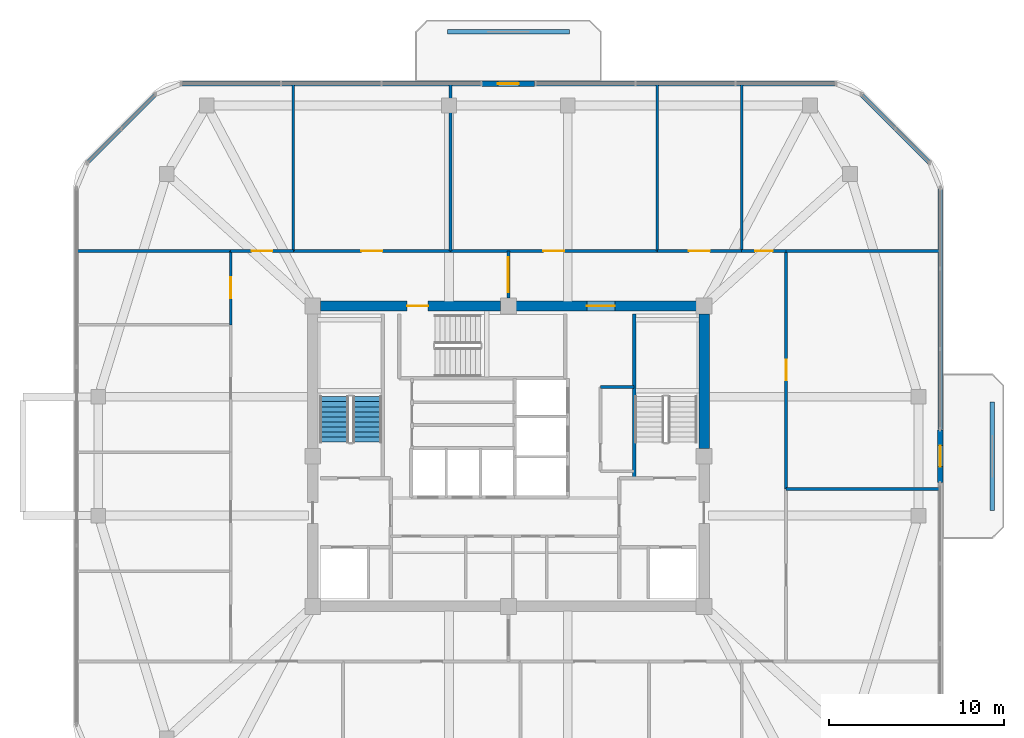
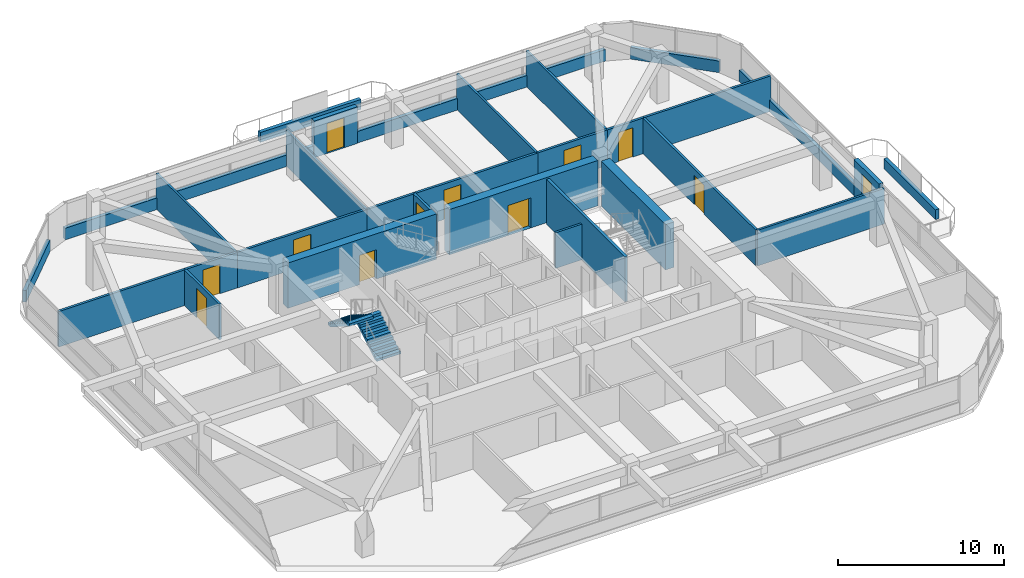
# One storey, part 11 of 14: 29 walls, 12 doors, 2 stair flights, 12 openings, 1 element without a shape of its own.
"""IFC4 building model written with IfcOpenShell, lengths in metres."""

from ifc_helpers import new_model, si_unit, derived_unit, direction, frame, frame_2d, origin, place, context, subcontext, project, spatial, polyline, rectangle, outline, extrude, material, layer, layer_set, type_object, element, fill, aggregate, save


model = new_model("IFC4")

# Units and contexts
model_context = context("Model", 3, precision=1e-05, world=origin(), true_north=direction((0.0, 1.0)))
body_context = subcontext(model_context, "Body", "Model", "MODEL_VIEW")
ifc_project = project(units=[si_unit("LENGTHUNIT", "METRE"), si_unit("AREAUNIT", "SQUARE_METRE"), si_unit("VOLUMEUNIT", "CUBIC_METRE"), si_unit("PLANEANGLEUNIT", "RADIAN"), si_unit("MASSUNIT", "GRAM", prefix="KILO"), derived_unit("THERMALTRANSMITTANCEUNIT", [(si_unit("POWERUNIT", "WATT"), 1), (si_unit("LENGTHUNIT", "METRE"), -2), (si_unit("THERMODYNAMICTEMPERATUREUNIT", "KELVIN"), -1)])], contexts=[model_context])

# Site, building, storey
site_placement = place(None, origin())
site = spatial("IfcSite", under=ifc_project, at=site_placement, CompositionType="ELEMENT")
building_placement = place(site_placement, origin())
building = spatial("IfcBuilding", under=site, at=building_placement, Name="Koralith Skygarden Medical Center", CompositionType="ELEMENT")
storey_placement = place(building_placement, frame((0.0, 0.0, 246.419921875)))
storey = spatial("IfcBuildingStorey", under=building, at=storey_placement, Name="L63", CompositionType="ELEMENT", Elevation=246.419921875)

# Walls
ifc_material_1 = material(Name="Gypsum Board Partition")
ifc_layer_1 = layer(ifc_material_1, 0.14990234375)
ifc_layer_set_1 = layer_set([ifc_layer_1], Name="Gypsum Board Partition")
wall_type_1 = type_object("IfcWallType", Name="Clinical Acoustic Partition 150", PredefinedType="PARTITIONING", material=ifc_layer_set_1)
wall_1_placement = place(storey_placement, frame((42.27001953125, 29.860107421875, 0.0), z_axis=(0.0, 0.0, 1.0), x_axis=(1.0, 0.0, 0.0)))
element("IfcWall", 1, at=wall_1_placement, inside=storey, type_object=wall_type_1, Name="L63 Clinical Acoustic Partition 150 W-CORE-L63-ESUB-N", PredefinedType="PARTITIONING", context=body_context, shape_type="SweptSolid", body=[
    extrude(rectangle(XDim=1.929931640625, YDim=0.14990234375, at=frame_2d((0.96484375, 0.0))), origin(), (0.0, 0.0, 1.0), 2.610107421875),
])
for number, where, z_axis, x_axis, name in (
    (2, (24.68603515625, 37.64990234375, 0.0), (0.0, 0.0, 1.0), (0.0, 1.0, 0.0), "L63 Clinical Acoustic Partition 150 W-PART-L63-N-01"),
    (3, (33.68505859375, 37.64990234375, 0.0), (0.0, 0.0, 1.0), (0.0, 1.0, 0.0), "L63 Clinical Acoustic Partition 150 W-PART-L63-N-02"),
    (4, (45.52490234375, 37.64990234375, 0.0), (0.0, 0.0, 1.0), (0.0, 1.0, 0.0), "L63 Clinical Acoustic Partition 150 W-PART-L63-N-03"),
    (5, (50.35009765625, 37.64990234375, 0.0), (0.0, 0.0, 1.0), (0.0, 1.0, 0.0), "L63 Clinical Acoustic Partition 150 W-PART-L63-N-04"),
):
    element("IfcWall", number, at=place(storey_placement, frame(where, z_axis=z_axis, x_axis=x_axis)), inside=storey, type_object=wall_type_1, Name=name, PredefinedType="PARTITIONING", context=body_context, shape_type="SweptSolid", body=[
        extrude(rectangle(XDim=9.550048828125, YDim=0.14990234375, at=frame_2d((4.77490234375, 0.0))), origin(), (0.0, 0.0, 1.0), 2.610107421875),
    ])
wall_2_placement = place(storey_placement, frame((52.89990234375, 24.02001953125, 0.0), z_axis=(0.0, 0.0, 1.0), x_axis=(1.0, 0.0, 0.0)))
element("IfcWall", 6, at=wall_2_placement, inside=storey, type_object=wall_type_1, Name="L63 Clinical Acoustic Partition 150 W-PART-L63-E-01", PredefinedType="PARTITIONING", context=body_context, shape_type="SweptSolid", body=[
    extrude(rectangle(XDim=8.800048828125, YDim=0.14990234375, at=frame_2d((4.39990234375, 0.0))), origin(), (0.0, 0.0, 1.0), 2.610107421875),
])
ifc_layer_2 = layer(ifc_material_1, 0.1650390625)
ifc_layer_set_2 = layer_set([ifc_layer_2], Name="Gypsum Board Partition")
wall_type_2 = type_object("IfcWallType", Name="Clinical Corridor Partition 165", PredefinedType="PARTITIONING", material=ifc_layer_set_2)
for number, where, z_axis, x_axis, name in (
    (7, (12.300048828125, 37.64990234375, 0.0), (0.0, 0.0, 1.0), (1.0, 0.0, 0.0), "L63 Clinical Corridor Partition 165 W-WB-L63-NW"),
    (8, (52.89990234375, 37.64990234375, 0.0), (0.0, 0.0, 1.0), (1.0, 0.0, 0.0), "L63 Clinical Corridor Partition 165 W-WB-L63-NE"),
):
    element("IfcWall", number, at=place(storey_placement, frame(where, z_axis=z_axis, x_axis=x_axis)), inside=storey, type_object=wall_type_2, Name=name, PredefinedType="PARTITIONING", context=body_context, shape_type="SweptSolid", body=[
        extrude(rectangle(XDim=8.800048828125, YDim=0.1650390625, at=frame_2d((4.39990234375, 0.0))), origin(), (0.0, 0.0, 1.0), 2.610107421875),
    ])

# Wall, opening, door
wall_3_placement = place(storey_placement, frame((21.10009765625, 37.64990234375, 0.0), z_axis=(0.0, 0.0, 1.0), x_axis=(1.0, 0.0, 0.0)))
wall_3 = element("IfcWall", 9, at=wall_3_placement, inside=storey, type_object=wall_type_2, Name="L63 Clinical Corridor Partition 165 W-CORR-L63-N-01", PredefinedType="PARTITIONING", context=body_context, shape_type="SweptSolid", body=[
    extrude(rectangle(XDim=3.5859375, YDim=0.1650390625, at=frame_2d((1.79296875, 0.0))), origin(), (0.0, 0.0, 1.0), 2.610107421875),
])
opening_1_placement = place(wall_3_placement, frame((1.193115234375, 0.0, 0.0)))
opening_1 = element("IfcOpeningElement", 10, at=opening_1_placement, cuts=wall_3, Name="Opening D-CLN", PredefinedType="OPENING", context=body_context, shape_type="SweptSolid", body=[
    extrude(rectangle(XDim=1.199951171875, YDim=2.14990234375, at=frame_2d((0.60009765625, 1.074951171875))), frame((0.0, 0.092529296875, 0.0), z_axis=(0.0, -1.0, 0.0), x_axis=(1.0, 0.0, 0.0)), (0.0, 0.0, 1.0), 0.18505859375),
])
ifc_material_2 = material(Name="Aluminium 6063-T6", Category="aluminium")
door_type_1 = type_object("IfcDoorType", Name="Clinical Corridor Door D-CLN 1200", OperationType="NOTDEFINED", PredefinedType="DOOR", material=ifc_material_2)
door_1_placement = place(opening_1_placement, origin())
door_1 = element("IfcDoor", 11, at=door_1_placement, inside=storey, type_object=door_type_1, Name="L63 Staff Refreshment and Nutrition Pantry 01 Door", OperationType="SINGLE_SWING_RIGHT", OverallHeight=2.14990234375, OverallWidth=1.199951171875, PredefinedType="DOOR", context=body_context, shape_type="SweptSolid", body=[
    extrude(rectangle(XDim=1.199951171875, YDim=2.14990234375, at=frame_2d((0.60009765625, 1.074951171875))), frame((0.0, 0.02490234375, 0.0), z_axis=(0.0, -1.0, 0.0), x_axis=(1.0, 0.0, 0.0)), (0.0, 0.0, 1.0), 0.050048828125),
])
fill(opening_1, door_1)

wall_4_placement = place(storey_placement, frame((24.68603515625, 37.64990234375, 0.0), z_axis=(0.0, 0.0, 1.0), x_axis=(1.0, 0.0, 0.0)))
wall_4 = element("IfcWall", 12, at=wall_4_placement, inside=storey, type_object=wall_type_2, Name="L63 Clinical Corridor Partition 165 W-CORR-L63-N-02", PredefinedType="PARTITIONING", context=body_context, shape_type="SweptSolid", body=[
    extrude(rectangle(XDim=8.9990234375, YDim=0.1650390625, at=frame_2d((4.49951171875, 0.0))), origin(), (0.0, 0.0, 1.0), 2.610107421875),
])
opening_2_placement = place(wall_4_placement, frame((3.89990234375, 0.0, 0.0)))
opening_2 = element("IfcOpeningElement", 13, at=opening_2_placement, cuts=wall_4, Name="Opening D-CLN", PredefinedType="OPENING", context=body_context, shape_type="SweptSolid", body=[
    extrude(rectangle(XDim=1.199951171875, YDim=2.14990234375, at=frame_2d((0.60009765625, 1.074951171875))), frame((0.0, 0.092529296875, 0.0), z_axis=(0.0, -1.0, 0.0), x_axis=(1.0, 0.0, 0.0)), (0.0, 0.0, 1.0), 0.18505859375),
])
door_2_placement = place(opening_2_placement, origin())
door_2 = element("IfcDoor", 14, at=door_2_placement, inside=storey, type_object=door_type_1, Name="L63 Clinical Pharmacist Office 02 Door", OperationType="SINGLE_SWING_LEFT", OverallHeight=2.14990234375, OverallWidth=1.199951171875, PredefinedType="DOOR", context=body_context, shape_type="SweptSolid", body=[
    extrude(rectangle(XDim=1.199951171875, YDim=2.14990234375, at=frame_2d((0.60009765625, 1.074951171875))), frame((0.0, 0.02490234375, 0.0), z_axis=(0.0, -1.0, 0.0), x_axis=(1.0, 0.0, 0.0)), (0.0, 0.0, 1.0), 0.050048828125),
])
fill(opening_2, door_2)

wall_5_placement = place(storey_placement, frame((33.68505859375, 37.64990234375, 0.0), z_axis=(0.0, 0.0, 1.0), x_axis=(1.0, 0.0, 0.0)))
wall_5 = element("IfcWall", 15, at=wall_5_placement, inside=storey, type_object=wall_type_2, Name="L63 Clinical Corridor Partition 165 W-CORR-L63-N-03", PredefinedType="PARTITIONING", context=body_context, shape_type="SweptSolid", body=[
    extrude(rectangle(XDim=11.83984375, YDim=0.1650390625, at=frame_2d((5.919921875, 0.0))), origin(), (0.0, 0.0, 1.0), 2.610107421875),
])
opening_3_placement = place(wall_5_placement, frame((5.320068359375, 0.0, 0.0)))
opening_3 = element("IfcOpeningElement", 16, at=opening_3_placement, cuts=wall_5, Name="Opening D-CLN", PredefinedType="OPENING", context=body_context, shape_type="SweptSolid", body=[
    extrude(rectangle(XDim=1.199951171875, YDim=2.14990234375, at=frame_2d((0.60009765625, 1.074951171875))), frame((0.0, 0.092529296875, 0.0), z_axis=(0.0, -1.0, 0.0), x_axis=(1.0, 0.0, 0.0)), (0.0, 0.0, 1.0), 0.18505859375),
])
door_3_placement = place(opening_3_placement, origin())
door_3 = element("IfcDoor", 17, at=door_3_placement, inside=storey, type_object=door_type_1, Name="L63 Patient and Family Sky-Garden Day Lounge 03 Door", OperationType="SINGLE_SWING_RIGHT", OverallHeight=2.14990234375, OverallWidth=1.199951171875, PredefinedType="DOOR", context=body_context, shape_type="SweptSolid", body=[
    extrude(rectangle(XDim=1.199951171875, YDim=2.14990234375, at=frame_2d((0.60009765625, 1.074951171875))), frame((0.0, 0.02490234375, 0.0), z_axis=(0.0, -1.0, 0.0), x_axis=(1.0, 0.0, 0.0)), (0.0, 0.0, 1.0), 0.050048828125),
])
fill(opening_3, door_3)

wall_6_placement = place(storey_placement, frame((45.52490234375, 37.64990234375, 0.0), z_axis=(0.0, 0.0, 1.0), x_axis=(1.0, 0.0, 0.0)))
wall_6 = element("IfcWall", 18, at=wall_6_placement, inside=storey, type_object=wall_type_2, Name="L63 Clinical Corridor Partition 165 W-CORR-L63-N-04", PredefinedType="PARTITIONING", context=body_context, shape_type="SweptSolid", body=[
    extrude(rectangle(XDim=4.8251953125, YDim=0.1650390625, at=frame_2d((2.41259765625, 0.0))), origin(), (0.0, 0.0, 1.0), 2.610107421875),
])
opening_4_placement = place(wall_6_placement, frame((1.81298828125, 0.0, 0.0)))
opening_4 = element("IfcOpeningElement", 19, at=opening_4_placement, cuts=wall_6, Name="Opening D-CLN", PredefinedType="OPENING", context=body_context, shape_type="SweptSolid", body=[
    extrude(rectangle(XDim=1.199951171875, YDim=2.14990234375, at=frame_2d((0.60009765625, 1.074951171875))), frame((0.0, 0.092529296875, 0.0), z_axis=(0.0, -1.0, 0.0), x_axis=(1.0, 0.0, 0.0)), (0.0, 0.0, 1.0), 0.18505859375),
])
door_4_placement = place(opening_4_placement, origin())
door_4 = element("IfcDoor", 20, at=door_4_placement, inside=storey, type_object=door_type_1, Name="L63 Social Work Counseling Office 04 Door", OperationType="SINGLE_SWING_LEFT", OverallHeight=2.14990234375, OverallWidth=1.199951171875, PredefinedType="DOOR", context=body_context, shape_type="SweptSolid", body=[
    extrude(rectangle(XDim=1.199951171875, YDim=2.14990234375, at=frame_2d((0.60009765625, 1.074951171875))), frame((0.0, 0.02490234375, 0.0), z_axis=(0.0, -1.0, 0.0), x_axis=(1.0, 0.0, 0.0)), (0.0, 0.0, 1.0), 0.050048828125),
])
fill(opening_4, door_4)

wall_7_placement = place(storey_placement, frame((50.35009765625, 37.64990234375, 0.0), z_axis=(0.0, 0.0, 1.0), x_axis=(1.0, 0.0, 0.0)))
wall_7 = element("IfcWall", 21, at=wall_7_placement, inside=storey, type_object=wall_type_2, Name="L63 Clinical Corridor Partition 165 W-CORR-L63-N-05", PredefinedType="PARTITIONING", context=body_context, shape_type="SweptSolid", body=[
    extrude(rectangle(XDim=2.5498046875, YDim=0.1650390625, at=frame_2d((1.27490234375, 0.0))), origin(), (0.0, 0.0, 1.0), 2.610107421875),
])
opening_5_placement = place(wall_7_placement, frame((0.77490234375, 0.0, 0.0)))
opening_5 = element("IfcOpeningElement", 22, at=opening_5_placement, cuts=wall_7, Name="Opening D-SUP", PredefinedType="OPENING", context=body_context, shape_type="SweptSolid", body=[
    extrude(rectangle(XDim=1.0, YDim=2.14990234375, at=frame_2d((0.5, 1.074951171875))), frame((0.0, 0.092529296875, 0.0), z_axis=(0.0, -1.0, 0.0), x_axis=(1.0, 0.0, 0.0)), (0.0, 0.0, 1.0), 0.18505859375),
])
door_type_2 = type_object("IfcDoorType", Name="Clinical Support Door D-SUP 1000", OperationType="NOTDEFINED", PredefinedType="DOOR", material=ifc_material_2)
door_5_placement = place(opening_5_placement, origin())
door_5 = element("IfcDoor", 23, at=door_5_placement, inside=storey, type_object=door_type_2, Name="L63 Clinical Consultation Office 05 Door", OperationType="SINGLE_SWING_RIGHT", OverallHeight=2.14990234375, OverallWidth=1.0, PredefinedType="DOOR", context=body_context, shape_type="SweptSolid", body=[
    extrude(rectangle(XDim=1.0, YDim=2.14990234375, at=frame_2d((0.5, 1.074951171875))), frame((0.0, 0.02490234375, 0.0), z_axis=(0.0, -1.0, 0.0), x_axis=(1.0, 0.0, 0.0)), (0.0, 0.0, 1.0), 0.050048828125),
])
fill(opening_5, door_5)

wall_8_placement = place(storey_placement, frame((21.10009765625, 33.419921875, 0.0), z_axis=(0.0, 0.0, 1.0), x_axis=(0.0, 1.0, 0.0)))
wall_8 = element("IfcWall", 24, at=wall_8_placement, inside=storey, type_object=wall_type_2, Name="L63 Clinical Corridor Partition 165 W-CORR-L63-W-04", PredefinedType="PARTITIONING", context=body_context, shape_type="SweptSolid", body=[
    extrude(rectangle(XDim=4.22998046875, YDim=0.1650390625, at=frame_2d((2.114990234375, 0.0))), origin(), (0.0, 0.0, 1.0), 2.610107421875),
])
opening_6_placement = place(wall_8_placement, frame((1.514892578125, 0.0, 0.0)))
opening_6 = element("IfcOpeningElement", 25, at=opening_6_placement, cuts=wall_8, Name="Opening D-CLN", PredefinedType="OPENING", context=body_context, shape_type="SweptSolid", body=[
    extrude(rectangle(XDim=1.199951171875, YDim=2.14990234375, at=frame_2d((0.60009765625, 1.074951171875))), frame((0.0, 0.092529296875, 0.0), z_axis=(0.0, -1.0, 0.0), x_axis=(1.0, 0.0, 0.0)), (0.0, 0.0, 1.0), 0.18505859375),
])
door_6_placement = place(opening_6_placement, frame((1.199951171875, 0.0, 0.0), z_axis=(0.0, 0.0, 1.0), x_axis=(-1.0, 0.0, 0.0)))
door_6 = element("IfcDoor", 26, at=door_6_placement, inside=storey, type_object=door_type_1, Name="L63 Staff Refreshment and Nutrition Pantry 14 Door", OperationType="SINGLE_SWING_LEFT", OverallHeight=2.14990234375, OverallWidth=1.199951171875, PredefinedType="DOOR", context=body_context, shape_type="SweptSolid", body=[
    extrude(rectangle(XDim=1.199951171875, YDim=2.14990234375, at=frame_2d((0.60009765625, 1.074951171875))), frame((0.0, 0.02490234375, 0.0), z_axis=(0.0, -1.0, 0.0), x_axis=(1.0, 0.0, 0.0)), (0.0, 0.0, 1.0), 0.050048828125),
])
fill(opening_6, door_6)

wall_9_placement = place(storey_placement, frame((52.89990234375, 24.02001953125, 0.0), z_axis=(0.0, 0.0, 1.0), x_axis=(0.0, 1.0, 0.0)))
wall_9 = element("IfcWall", 27, at=wall_9_placement, inside=storey, type_object=wall_type_2, Name="L63 Clinical Corridor Partition 165 W-CORR-L63-E-02", PredefinedType="PARTITIONING", context=body_context, shape_type="SweptSolid", body=[
    extrude(rectangle(XDim=13.6298828125, YDim=0.1650390625, at=frame_2d((6.81494140625, 0.0))), origin(), (0.0, 0.0, 1.0), 2.610107421875),
])
opening_7_placement = place(wall_9_placement, frame((6.215087890625, 0.0, 0.0)))
opening_7 = element("IfcOpeningElement", 28, at=opening_7_placement, cuts=wall_9, Name="Opening D-CLN", PredefinedType="OPENING", context=body_context, shape_type="SweptSolid", body=[
    extrude(rectangle(XDim=1.199951171875, YDim=2.14990234375, at=frame_2d((0.60009765625, 1.074951171875))), frame((0.0, 0.092529296875, 0.0), z_axis=(0.0, -1.0, 0.0), x_axis=(1.0, 0.0, 0.0)), (0.0, 0.0, 1.0), 0.18505859375),
])
door_7_placement = place(opening_7_placement, origin())
door_7 = element("IfcDoor", 29, at=door_7_placement, inside=storey, type_object=door_type_1, Name="L63 Patient and Family Sky-Garden Day Lounge 16 Door", OperationType="SINGLE_SWING_LEFT", OverallHeight=2.14990234375, OverallWidth=1.199951171875, PredefinedType="DOOR", context=body_context, shape_type="SweptSolid", body=[
    extrude(rectangle(XDim=1.199951171875, YDim=2.14990234375, at=frame_2d((0.60009765625, 1.074951171875))), frame((0.0, 0.02490234375, 0.0), z_axis=(0.0, -1.0, 0.0), x_axis=(1.0, 0.0, 0.0)), (0.0, 0.0, 1.0), 0.050048828125),
])
fill(opening_7, door_7)

ifc_layer_3 = layer(ifc_material_1, 0.179931640625)
ifc_layer_set_3 = layer_set([ifc_layer_3], Name="Gypsum Board Partition")
wall_type_3 = type_object("IfcWallType", Name="Group I-2 Smoke Barrier Wall 180", PredefinedType="PARTITIONING", material=ifc_layer_set_3)
wall_10_placement = place(storey_placement, frame((37.0, 34.949951171875, 0.0), z_axis=(0.0, 0.0, 1.0), x_axis=(0.0, 1.0, 0.0)))
wall_10 = element("IfcWall", 30, at=wall_10_placement, inside=storey, type_object=wall_type_3, Name="L63 Group I-2 Smoke Barrier Wall 180 W-SMK-L63-N", PredefinedType="PARTITIONING", context=body_context, shape_type="SweptSolid", body=[
    extrude(rectangle(XDim=2.699951171875, YDim=0.179931640625, at=frame_2d((1.35009765625, 0.0))), origin(), (0.0, 0.0, 1.0), 2.610107421875),
])
opening_8_placement = place(wall_10_placement, frame((0.35009765625, 0.0, 0.0)))
opening_8 = element("IfcOpeningElement", 31, at=opening_8_placement, cuts=wall_10, Name="Opening D-SMK", PredefinedType="OPENING", context=body_context, shape_type="SweptSolid", body=[
    extrude(rectangle(XDim=2.0, YDim=2.199951171875, at=frame_2d((1.0, 1.10009765625))), frame((0.0, 0.099853515625, 0.0), z_axis=(0.0, -1.0, 0.0), x_axis=(1.0, 0.0, 0.0)), (0.0, 0.0, 1.0), 0.199951171875),
])
ifc_material_3 = material(Name="Steel ASTM A500 Grade C", Category="steel")
door_type_3 = type_object("IfcDoorType", Name="Cross-Corridor Double Smoke Door FD60S 2000", OperationType="NOTDEFINED", PredefinedType="DOOR", material=ifc_material_3)
door_8_placement = place(opening_8_placement, origin())
door_8 = element("IfcDoor", 32, at=door_8_placement, inside=storey, type_object=door_type_3, Name="L63 N Smoke Compartment Cross-Corridor Door", OperationType="DOUBLE_DOOR_SINGLE_SWING", OverallHeight=2.199951171875, OverallWidth=2.0, PredefinedType="DOOR", context=body_context, shape_type="SweptSolid", body=[
    extrude(rectangle(XDim=2.0, YDim=2.199951171875, at=frame_2d((1.0, 1.10009765625))), frame((0.0, 0.02490234375, 0.0), z_axis=(0.0, -1.0, 0.0), x_axis=(1.0, 0.0, 0.0)), (0.0, 0.0, 1.0), 0.050048828125),
])
fill(opening_8, door_8)

# Walls
ifc_material_4 = material(Name="Warm Oolitic Limestone Cladding", Category="masonry")
ifc_layer_4 = layer(ifc_material_4, 0.239990234375)
ifc_layer_set_4 = layer_set([ifc_layer_4], Name="Warm Oolitic Limestone Cladding")
wall_type_4 = type_object("IfcWallType", Name="Limestone Spandrel Sill Backup Wall 240", PredefinedType="SOLIDWALL", material=ifc_layer_set_4)
wall_11_placement = place(storey_placement, frame((61.719970703125, 27.43994140625, 0.0), z_axis=(0.0, 0.0, 1.0), x_axis=(0.0, 1.0, 0.0)))
element("IfcWall", 33, at=wall_11_placement, inside=storey, type_object=wall_type_4, Name="L63 Sill Spandrel E-R", PredefinedType="SOLIDWALL", context=body_context, shape_type="SweptSolid", body=[
    extrude(rectangle(XDim=13.80517578125, YDim=0.239990234375, at=frame_2d((6.902587890625, 0.0))), origin(), (0.0, 0.0, 1.0), 0.85009765625),
])
wall_12_placement = place(storey_placement, frame((61.118896484375, 42.696044921875, 0.0), z_axis=(0.0, 0.0, 1.0), x_axis=(-0.707106781187, 0.707106781187, 0.0)))
element("IfcWall", 34, at=wall_12_placement, inside=storey, type_object=wall_type_4, Name="L63 Sill Spandrel NE", PredefinedType="SOLIDWALL", context=body_context, shape_type="SweptSolid", body=[
    extrude(rectangle(XDim=5.5478515625, YDim=0.239990234375, at=frame_2d((2.77392578125, 0.0))), origin(), (0.0, 0.0, 1.0), 0.85009765625),
])
wall_13_placement = place(storey_placement, frame((55.7451171875, 47.219970703125, 0.0), z_axis=(0.0, 0.0, 1.0), x_axis=(-1.0, 0.0, 0.0)))
element("IfcWall", 35, at=wall_13_placement, inside=storey, type_object=wall_type_4, Name="L63 Sill Spandrel N-L", PredefinedType="SOLIDWALL", context=body_context, shape_type="SweptSolid", body=[
    extrude(rectangle(XDim=17.2041015625, YDim=0.239990234375, at=frame_2d((8.60205078125, 0.0))), origin(), (0.0, 0.0, 1.0), 0.85009765625),
])
wall_14_placement = place(storey_placement, frame((35.4609375, 47.219970703125, 0.0), z_axis=(0.0, 0.0, 1.0), x_axis=(-1.0, 0.0, 0.0)))
element("IfcWall", 36, at=wall_14_placement, inside=storey, type_object=wall_type_4, Name="L63 Sill Spandrel N-R", PredefinedType="SOLIDWALL", context=body_context, shape_type="SweptSolid", body=[
    extrude(rectangle(XDim=17.2060546875, YDim=0.239990234375, at=frame_2d((8.60302734375, 0.0))), origin(), (0.0, 0.0, 1.0), 0.85009765625),
])
wall_15_placement = place(storey_placement, frame((16.803955078125, 46.618896484375, 0.0), z_axis=(0.0, 0.0, 1.0), x_axis=(-0.707106781187, -0.707106781187, 0.0)))
element("IfcWall", 37, at=wall_15_placement, inside=storey, type_object=wall_type_4, Name="L63 Sill Spandrel NW", PredefinedType="SOLIDWALL", context=body_context, shape_type="SweptSolid", body=[
    extrude(rectangle(XDim=5.5478515625, YDim=0.239990234375, at=frame_2d((2.77392578125, 0.0))), origin(), (0.0, 0.0, 1.0), 0.85009765625),
])

# Wall, opening, door
ifc_layer_5 = layer(ifc_material_4, 0.300048828125)
ifc_layer_set_5 = layer_set([ifc_layer_5], Name="Warm Oolitic Limestone Cladding")
wall_type_5 = type_object("IfcWallType", Name="Oolitic Limestone Insulated Facade Wall 300", PredefinedType="SOLIDWALL", material=ifc_layer_set_5)
wall_16_placement = place(storey_placement, frame((61.719970703125, 24.39990234375, 0.0), z_axis=(0.0, 0.0, 1.0), x_axis=(0.0, 1.0, 0.0)))
wall_16 = element("IfcWall", 38, at=wall_16_placement, inside=storey, type_object=wall_type_5, Name="L63 Terrace Portal Wall E", PredefinedType="SOLIDWALL", context=body_context, shape_type="SweptSolid", body=[
    extrude(rectangle(XDim=3.0, YDim=0.300048828125, at=frame_2d((1.5, 0.0))), origin(), (0.0, 0.0, 1.0), 2.690185546875),
])
opening_9_placement = place(wall_16_placement, frame((0.89990234375, 0.0, 0.0)))
opening_9 = element("IfcOpeningElement", 39, at=opening_9_placement, cuts=wall_16, Name="Opening D-BAL", PredefinedType="OPENING", context=body_context, shape_type="SweptSolid", body=[
    extrude(rectangle(XDim=1.199951171875, YDim=2.199951171875, at=frame_2d((0.60009765625, 1.10009765625))), frame((0.0, 0.159912109375, 0.0), z_axis=(0.0, -1.0, 0.0), x_axis=(1.0, 0.0, 0.0)), (0.0, 0.0, 1.0), 0.320068359375),
])
door_type_4 = type_object("IfcDoorType", Name="Planted Balcony Glazed Terrace Door D-BAL 1200", OperationType="NOTDEFINED", PredefinedType="DOOR", material=ifc_material_2)
door_9_placement = place(opening_9_placement, origin())
door_9 = element("IfcDoor", 40, at=door_9_placement, inside=storey, type_object=door_type_4, Name="L63 E Outdoor Terrace Access Door", OperationType="SINGLE_SWING_RIGHT", OverallHeight=2.199951171875, OverallWidth=1.199951171875, PredefinedType="DOOR", context=body_context, shape_type="SweptSolid", body=[
    extrude(rectangle(XDim=1.199951171875, YDim=2.199951171875, at=frame_2d((0.60009765625, 1.10009765625))), frame((0.0, 0.02490234375, 0.0), z_axis=(0.0, -1.0, 0.0), x_axis=(1.0, 0.0, 0.0)), (0.0, 0.0, 1.0), 0.050048828125),
])
fill(opening_9, door_9)

wall_17_placement = place(storey_placement, frame((38.5009765625, 47.219970703125, 0.0), z_axis=(0.0, 0.0, 1.0), x_axis=(-1.0, 0.0, 0.0)))
wall_17 = element("IfcWall", 41, at=wall_17_placement, inside=storey, type_object=wall_type_5, Name="L63 Terrace Portal Wall N", PredefinedType="SOLIDWALL", context=body_context, shape_type="SweptSolid", body=[
    extrude(rectangle(XDim=3.0, YDim=0.300048828125, at=frame_2d((1.5, 0.0))), origin(), (0.0, 0.0, 1.0), 2.690185546875),
])
opening_10_placement = place(wall_17_placement, frame((0.89990234375, 0.0, 0.0)))
opening_10 = element("IfcOpeningElement", 42, at=opening_10_placement, cuts=wall_17, Name="Opening D-BAL", PredefinedType="OPENING", context=body_context, shape_type="SweptSolid", body=[
    extrude(rectangle(XDim=1.199951171875, YDim=2.199951171875, at=frame_2d((0.60009765625, 1.10009765625))), frame((0.0, 0.159912109375, 0.0), z_axis=(0.0, -1.0, 0.0), x_axis=(1.0, 0.0, 0.0)), (0.0, 0.0, 1.0), 0.320068359375),
])
door_10_placement = place(opening_10_placement, origin())
door_10 = element("IfcDoor", 43, at=door_10_placement, inside=storey, type_object=door_type_4, Name="L63 N Outdoor Terrace Access Door", OperationType="SINGLE_SWING_RIGHT", OverallHeight=2.199951171875, OverallWidth=1.199951171875, PredefinedType="DOOR", context=body_context, shape_type="SweptSolid", body=[
    extrude(rectangle(XDim=1.199951171875, YDim=2.199951171875, at=frame_2d((0.60009765625, 1.10009765625))), frame((0.0, 0.02490234375, 0.0), z_axis=(0.0, -1.0, 0.0), x_axis=(1.0, 0.0, 0.0)), (0.0, 0.0, 1.0), 0.050048828125),
])
fill(opening_10, door_10)

# Walls
ifc_material_5 = material(Name="Precast concrete C40/50", Category="concrete")
ifc_layer_6 = layer(ifc_material_5, 0.25)
ifc_layer_set_6 = layer_set([ifc_layer_6], Name="Precast concrete C40/50")
wall_type_6 = type_object("IfcWallType", Name="Structural Concrete Balcony Planter Kerb 250", PredefinedType="PARAPET", material=ifc_layer_set_6)
wall_18_placement = place(storey_placement, frame((33.5, 50.199951171875, 0.0), z_axis=(0.0, 0.0, 1.0), x_axis=(1.0, 0.0, 0.0)))
element("IfcWall", 44, at=wall_18_placement, inside=storey, type_object=wall_type_6, Name="L63 N Structural Tree PLANTER Box", PredefinedType="PARAPET", context=body_context, shape_type="SweptSolid", body=[
    extrude(rectangle(XDim=7.0, YDim=0.25, at=frame_2d((3.5, 0.0))), origin(), (0.0, 0.0, 1.0), 0.719970703125),
])
wall_19_placement = place(storey_placement, frame((64.699951171875, 22.800048828125, 0.0), z_axis=(0.0, 0.0, 1.0), x_axis=(0.0, 1.0, 0.0)))
element("IfcWall", 45, at=wall_19_placement, inside=storey, type_object=wall_type_6, Name="L63 E Structural Tree PLANTER Box", PredefinedType="PARAPET", context=body_context, shape_type="SweptSolid", body=[
    extrude(rectangle(XDim=6.199951171875, YDim=0.25, at=frame_2d((3.10009765625, 0.0))), origin(), (0.0, 0.0, 1.0), 0.719970703125),
])
ifc_material_6 = material(Name="Concrete C45/55", Category="concrete")
ifc_layer_7 = layer(ifc_material_6, 0.199951171875)
ifc_layer_set_7 = layer_set([ifc_layer_7], Name="Concrete C45/55")
wall_type_7 = type_object("IfcWallType", Name="Structural Stair Shaft Wall 200", PredefinedType="SHEAR", material=ifc_layer_set_7)
wall_20_placement = place(storey_placement, frame((44.199951171875, 24.64990234375, 0.0), z_axis=(0.0, 0.0, 1.0), x_axis=(0.0, 1.0, 0.0)))
element("IfcWall", 46, at=wall_20_placement, inside=storey, type_object=wall_type_7, Name="L63 Structural Stair Shaft Wall 200 W-CORE-L63-ST2-W", PredefinedType="SHEAR", context=body_context, shape_type="SweptSolid", body=[
    extrude(rectangle(XDim=9.400146484375, YDim=0.199951171875, at=frame_2d((4.7001953125, 0.0))), origin(), (0.0, 0.0, 1.0), 3.320068359375),
])
ifc_material_7 = material(Name="Concrete C55/67", Category="concrete")
ifc_layer_8 = layer(ifc_material_7, 0.60009765625)
ifc_layer_set_8 = layer_set([ifc_layer_8], Name="Concrete C55/67")
wall_type_8 = type_object("IfcWallType", Name="Upper Core Shear Wall 600", PredefinedType="SHEAR", material=ifc_layer_set_8)
wall_21_placement = place(storey_placement, frame((48.199951171875, 26.344970703125, 0.0), z_axis=(0.0, 0.0, 1.0), x_axis=(0.0, 1.0, 0.0)))
element("IfcWall", 47, at=wall_21_placement, inside=storey, type_object=wall_type_8, Name="L63 Core Shear Wall Segment 4", PredefinedType="SHEAR", context=body_context, shape_type="SweptSolid", body=[
    extrude(rectangle(XDim=7.7099609375, YDim=0.60009765625, at=frame_2d((3.85498046875, 0.0))), origin(), (0.0, 0.0, 1.0), 3.320068359375),
])

# Wall, opening, door
wall_22_placement = place(storey_placement, frame((47.7548828125, 34.5, 0.0), z_axis=(0.0, 0.0, 1.0), x_axis=(-1.0, 0.0, 0.0)))
wall_22 = element("IfcWall", 48, at=wall_22_placement, inside=storey, type_object=wall_type_8, Name="L63 Core Shear Wall Segment 5", PredefinedType="SHEAR", context=body_context, shape_type="SweptSolid", body=[
    extrude(rectangle(XDim=10.309814453125, YDim=0.60009765625, at=frame_2d((5.15478515625, 0.0))), origin(), (0.0, 0.0, 1.0), 3.320068359375),
])
opening_11_placement = place(wall_22_placement, frame((4.655029296875, 0.0, 0.0)))
opening_11 = element("IfcOpeningElement", 49, at=opening_11_placement, cuts=wall_22, Name="Opening D-DBL", PredefinedType="OPENING", context=body_context, shape_type="SweptSolid", body=[
    extrude(rectangle(XDim=1.60009765625, YDim=2.199951171875, at=frame_2d((0.800048828125, 1.10009765625))), frame((0.0, 0.31005859375, 0.0), z_axis=(0.0, -1.0, 0.0), x_axis=(1.0, 0.0, 0.0)), (0.0, 0.0, 1.0), 0.6201171875),
])
door_type_5 = type_object("IfcDoorType", Name="Double Clinical Suite Door D-DBL 1600", OperationType="NOTDEFINED", PredefinedType="DOOR", material=ifc_material_2)
door_11_placement = place(opening_11_placement, frame((1.60009765625, 0.0, 0.0), z_axis=(0.0, 0.0, 1.0), x_axis=(-1.0, 0.0, 0.0)))
door_11 = element("IfcDoor", 50, at=door_11_placement, inside=storey, type_object=door_type_5, Name="L63 North-East Corridor to Elevator Lobby Door", OperationType="DOUBLE_DOOR_SINGLE_SWING", OverallHeight=2.199951171875, OverallWidth=1.60009765625, PredefinedType="DOOR", context=body_context, shape_type="SweptSolid", body=[
    extrude(rectangle(XDim=1.60009765625, YDim=2.199951171875, at=frame_2d((0.800048828125, 1.10009765625))), frame((0.0, 0.02490234375, 0.0), z_axis=(0.0, -1.0, 0.0), x_axis=(1.0, 0.0, 0.0)), (0.0, 0.0, 1.0), 0.050048828125),
])
fill(opening_11, door_11)

wall_23_placement = place(storey_placement, frame((36.554931640625, 34.5, 0.0), z_axis=(0.0, 0.0, 1.0), x_axis=(-1.0, 0.0, 0.0)))
wall_23 = element("IfcWall", 51, at=wall_23_placement, inside=storey, type_object=wall_type_8, Name="L63 Core Shear Wall Segment 6", PredefinedType="SHEAR", context=body_context, shape_type="SweptSolid", body=[
    extrude(rectangle(XDim=10.309814453125, YDim=0.60009765625, at=frame_2d((5.15478515625, 0.0))), origin(), (0.0, 0.0, 1.0), 3.320068359375),
])
opening_12_placement = place(wall_23_placement, frame((4.155029296875, 0.0, 0.0)))
opening_12 = element("IfcOpeningElement", 52, at=opening_12_placement, cuts=wall_23, Name="Opening D-ST60", PredefinedType="OPENING", context=body_context, shape_type="SweptSolid", body=[
    extrude(rectangle(XDim=1.199951171875, YDim=2.14990234375, at=frame_2d((0.60009765625, 1.074951171875))), frame((0.0, 0.31005859375, 0.0), z_axis=(0.0, -1.0, 0.0), x_axis=(1.0, 0.0, 0.0)), (0.0, 0.0, 1.0), 0.6201171875),
])
door_type_6 = type_object("IfcDoorType", Name="Smokeproof Stair Fire Door FD60S 1200", OperationType="NOTDEFINED", PredefinedType="DOOR", material=ifc_material_3)
door_12_placement = place(opening_12_placement, frame((1.199951171875, 0.0, 0.0), z_axis=(0.0, 0.0, 1.0), x_axis=(-1.0, 0.0, 0.0)))
door_12 = element("IfcDoor", 53, at=door_12_placement, inside=storey, type_object=door_type_6, Name="L63 Exit Stair ST3 Fire Door", OperationType="SINGLE_SWING_LEFT", OverallHeight=2.14990234375, OverallWidth=1.199951171875, PredefinedType="DOOR", context=body_context, shape_type="SweptSolid", body=[
    extrude(rectangle(XDim=1.199951171875, YDim=2.14990234375, at=frame_2d((0.60009765625, 1.074951171875))), frame((0.0, 0.02490234375, 0.0), z_axis=(0.0, -1.0, 0.0), x_axis=(1.0, 0.0, 0.0)), (0.0, 0.0, 1.0), 0.050048828125),
])
fill(opening_12, door_12)

# Stair, stair flights
stair_type = type_object("IfcStairType", Name="Core Exit Dogleg Concrete Stair", PredefinedType="HALF_TURN_STAIR", material=ifc_material_6)
stair_placement = place(storey_placement, origin())
stair = element("IfcStair", 54, at=stair_placement, inside=storey, type_object=stair_type, Name="L63 Smokeproof Exit Stair ST1", PredefinedType="HALF_TURN_STAIR")
stair_flight_type = type_object("IfcStairFlightType", Name="Core Exit Concrete Stair Flight 1650", PredefinedType="STRAIGHT", material=ifc_material_6)
stair_flight_1_placement = place(storey_placement, frame((28.925048828125, 26.699951171875, 0.0), z_axis=(0.0, 0.0, 1.0), x_axis=(0.0, 1.0, 0.0)))
stair_flight_1 = element("IfcStairFlight", 55, at=stair_flight_1_placement, type_object=stair_flight_type, Name="ST1 flight 1", NumberOfRisers=10, NumberOfTreads=9, PredefinedType="STRAIGHT", RiserHeight=0.18, TreadLength=0.29, context=body_context, shape_type="SweptSolid", body=[
    extrude(outline(polyline([(0.0, 0.0), (0.0, 0.179931640625), (0.2900390625, 0.179931640625), (0.2900390625, 0.360107421875), (0.580078125, 0.360107421875), (0.580078125, 0.5400390625), (0.8701171875, 0.5400390625), (0.8701171875, 0.719970703125), (1.159912109375, 0.719970703125), (1.159912109375, 0.89990234375), (1.449951171875, 0.89990234375), (1.449951171875, 1.080078125), (1.739990234375, 1.080078125), (1.739990234375, 1.260009765625), (2.030029296875, 1.260009765625), (2.030029296875, 1.43994140625), (2.320068359375, 1.43994140625), (2.320068359375, 1.6201171875), (2.610107421875, 1.6201171875), (2.610107421875, 1.800048828125), (2.610107421875, 1.443603515625), (0.2841796875, 0.0), (0.0, 0.0)])), frame((0.0, 0.824951171875, 0.0), z_axis=(0.0, -1.0, 0.0), x_axis=(1.0, 0.0, 0.0)), (0.0, 0.0, 1.0), 1.64990234375),
])
stair_flight_2_placement = place(storey_placement, frame((27.02490234375, 29.31005859375, 1.800048828125), z_axis=(0.0, 0.0, 1.0), x_axis=(0.0, -1.0, 0.0)))
stair_flight_2 = element("IfcStairFlight", 56, at=stair_flight_2_placement, type_object=stair_flight_type, Name="ST1 flight 2", NumberOfRisers=10, NumberOfTreads=9, PredefinedType="STRAIGHT", RiserHeight=0.18, TreadLength=0.29, context=body_context, shape_type="SweptSolid", body=[
    extrude(outline(polyline([(0.0, 0.0), (0.0, 0.179931640625), (0.2900390625, 0.179931640625), (0.2900390625, 0.360107421875), (0.580078125, 0.360107421875), (0.580078125, 0.5400390625), (0.8701171875, 0.5400390625), (0.8701171875, 0.719970703125), (1.159912109375, 0.719970703125), (1.159912109375, 0.89990234375), (1.449951171875, 0.89990234375), (1.449951171875, 1.080078125), (1.739990234375, 1.080078125), (1.739990234375, 1.260009765625), (2.030029296875, 1.260009765625), (2.030029296875, 1.43994140625), (2.320068359375, 1.43994140625), (2.320068359375, 1.6201171875), (2.610107421875, 1.6201171875), (2.610107421875, 1.800048828125), (2.610107421875, 1.443603515625), (0.2841796875, 0.0), (0.0, 0.0)])), frame((0.0, 0.824951171875, 0.0), z_axis=(0.0, -1.0, 0.0), x_axis=(1.0, 0.0, 0.0)), (0.0, 0.0, 1.0), 1.64990234375),
])
aggregate(stair, [stair_flight_1, stair_flight_2])

save(model, "model.ifc")
